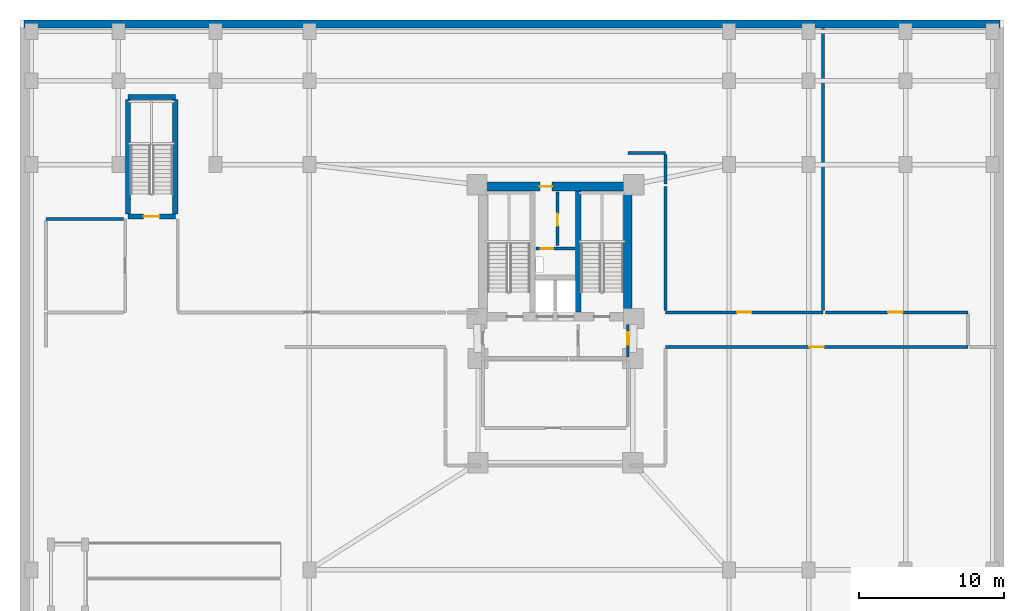
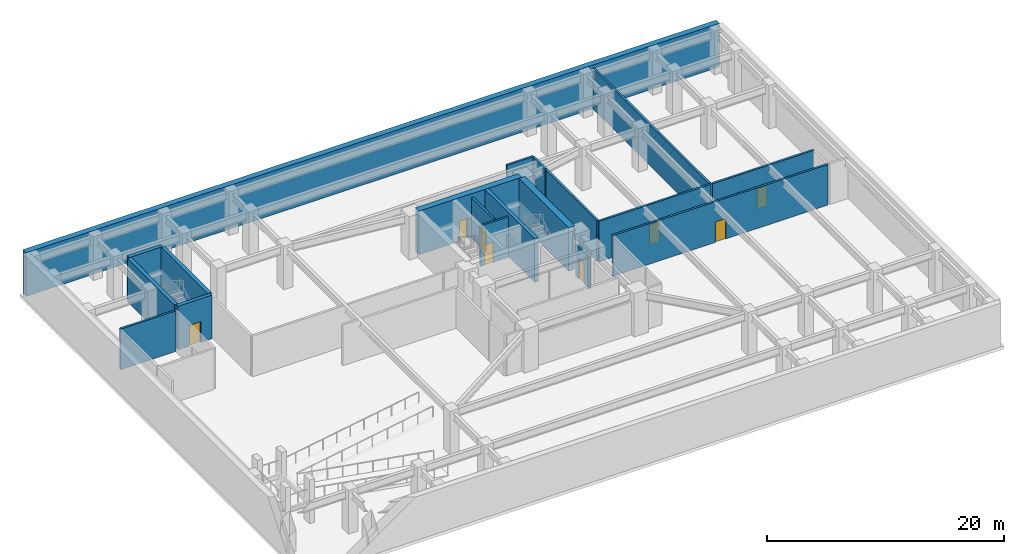
# One storey, part 5 of 8: 19 walls, 8 doors, 8 openings.
"""IFC4 building model written with IfcOpenShell, lengths in metres."""

from ifc_helpers import new_model, si_unit, direction, frame, frame_2d, origin, place, context, subcontext, project, spatial, rectangle, extrude, material, layer, layer_set, type_object, element, fill, save


model = new_model("IFC4")

# Units and contexts
model_context = context("Model", 3, precision=1e-05, world=origin(), true_north=direction((0.0, 1.0)))
body_context = subcontext(model_context, "Body", "Model", "MODEL_VIEW")
ifc_project = project(units=[si_unit("LENGTHUNIT", "METRE"), si_unit("AREAUNIT", "SQUARE_METRE"), si_unit("VOLUMEUNIT", "CUBIC_METRE"), si_unit("PLANEANGLEUNIT", "RADIAN"), si_unit("MASSUNIT", "GRAM", prefix="KILO")], contexts=[model_context])

# Site, building, storey
site_placement = place(None, origin())
site = spatial("IfcSite", under=ifc_project, at=site_placement, CompositionType="ELEMENT")
building_placement = place(site_placement, origin())
building = spatial("IfcBuilding", under=site, at=building_placement, Name="Varnakorn Sky Granary", CompositionType="ELEMENT")
storey_placement = place(building_placement, frame((0.0, 0.0, -9.0)))
storey = spatial("IfcBuildingStorey", under=building, at=storey_placement, Name="B02", CompositionType="ELEMENT", Elevation=-9.0)

# Wall, opening, door
ifc_material_1 = material(Name="Concrete C50/60", Category="concrete")
ifc_layer_1 = layer(ifc_material_1, 0.35009765625, Name="Concrete C50/60")
ifc_layer_set_1 = layer_set([ifc_layer_1], Name="Concrete C50/60")
wall_type_1 = type_object("IfcWallType", Name="WT-CW-INT-350", PredefinedType="SHEAR", material=ifc_layer_set_1)
wall_1_placement = place(storey_placement, frame((-26.550048828125, 10.419921875, 0.0), z_axis=(0.0, 0.0, 1.0), x_axis=(1.0, 0.0, 0.0)))
wall_1 = element("IfcWall", 1, at=wall_1_placement, inside=storey, type_object=wall_type_1, Name="Podium Stair ST-B3 South Wall B02", PredefinedType="SHEAR", context=body_context, shape_type="SweptSolid", body=[
    extrude(rectangle(XDim=3.280029296875, YDim=0.35009765625, at=frame_2d((1.64013671875, 0.0))), origin(), (0.0, 0.0, 1.0), 4.491943359375),
])
opening_1_placement = place(wall_1_placement, frame((1.090087890625, 0.0, 0.0)))
opening_1 = element("IfcOpeningElement", 2, at=opening_1_placement, cuts=wall_1, Name="Opening FD-90", PredefinedType="OPENING", context=body_context, shape_type="SweptSolid", body=[
    extrude(rectangle(XDim=1.10009765625, YDim=2.14990234375, at=frame_2d((0.550048828125, 1.074951171875))), frame((0.0, 0.18505859375, 0.0), z_axis=(0.0, -1.0, 0.0), x_axis=(1.0, 0.0, 0.0)), (0.0, 0.0, 1.0), 0.3701171875),
])
ifc_material_2 = material(Name="Galvanised Painted Steel Leaf", Category="steel")
door_type_1 = type_object("IfcDoorType", Name="DR-STAIR-1100", OperationType="NOTDEFINED", PredefinedType="DOOR", material=ifc_material_2)
door_1_placement = place(opening_1_placement, origin())
door_1 = element("IfcDoor", 3, at=door_1_placement, inside=storey, type_object=door_type_1, Name="Basement Stair ST-B3 Protected Fire Door B02", OperationType="SINGLE_SWING_LEFT", OverallHeight=2.14990234375, OverallWidth=1.10009765625, PredefinedType="DOOR", context=body_context, shape_type="SweptSolid", body=[
    extrude(rectangle(XDim=1.10009765625, YDim=2.14990234375, at=frame_2d((0.550048828125, 1.074951171875))), frame((0.0, 0.02490234375, 0.0), z_axis=(0.0, -1.0, 0.0), x_axis=(1.0, 0.0, 0.0)), (0.0, 0.0, 1.0), 0.050048828125),
])
fill(opening_1, door_1)

# Walls
wall_2_placement = place(storey_placement, frame((-26.550048828125, 18.679931640625, 0.0), z_axis=(0.0, 0.0, 1.0), x_axis=(1.0, 0.0, 0.0)))
element("IfcWall", 4, at=wall_2_placement, inside=storey, type_object=wall_type_1, Name="Podium Stair ST-B3 North Wall B02", PredefinedType="SHEAR", context=body_context, shape_type="SweptSolid", body=[
    extrude(rectangle(XDim=3.280029296875, YDim=0.35009765625, at=frame_2d((1.64013671875, 0.0))), origin(), (0.0, 0.0, 1.0), 4.491943359375),
])
for number, where, z_axis, x_axis, name in (
    (5, (-26.550048828125, 10.610107421875, 0.0), (0.0, 0.0, 1.0), (0.0, 1.0, 0.0), "Podium Stair ST-B3 West Wall B02"),
    (6, (-23.27001953125, 10.610107421875, 0.0), (0.0, 0.0, 1.0), (0.0, 1.0, 0.0), "Podium Stair ST-B3 East Wall B02"),
):
    element("IfcWall", number, at=place(storey_placement, frame(where, z_axis=z_axis, x_axis=x_axis)), inside=storey, type_object=wall_type_1, Name=name, PredefinedType="SHEAR", context=body_context, shape_type="SweptSolid", body=[
        extrude(rectangle(XDim=7.8798828125, YDim=0.35009765625, at=frame_2d((3.93994140625, 0.0))), origin(), (0.0, 0.0, 1.0), 4.491943359375),
    ])
wall_3_placement = place(storey_placement, frame((4.580078125, 3.81005859375, 0.0), z_axis=(0.0, 0.0, 1.0), x_axis=(0.0, 1.0, 0.0)))
element("IfcWall", 7, at=wall_3_placement, inside=storey, type_object=wall_type_1, Name="Stair ST-2 Core Wall B02", PredefinedType="SHEAR", context=body_context, shape_type="SweptSolid", body=[
    extrude(rectangle(XDim=8.3798828125, YDim=0.35009765625, at=frame_2d((4.18994140625, 0.0))), origin(), (0.0, 0.0, 1.0), 4.491943359375),
])

# Wall, opening, door
ifc_material_3 = material(Name="Concrete C60/75", Category="concrete")
ifc_layer_2 = layer(ifc_material_3, 0.60009765625, Name="Concrete C60/75")
ifc_layer_set_2 = layer_set([ifc_layer_2], Name="Concrete C60/75")
wall_type_2 = type_object("IfcWallType", Name="WT-CW-SHEAR-600", PredefinedType="SHEAR", material=ifc_layer_set_2)
wall_4_placement = place(storey_placement, frame((-2.0, 12.5, 0.0), z_axis=(0.0, 0.0, 1.0), x_axis=(1.0, 0.0, 0.0)))
wall_4 = element("IfcWall", 8, at=wall_4_placement, inside=storey, type_object=wall_type_2, Name="Core North Shear Wall B02", PredefinedType="SHEAR", context=body_context, shape_type="SweptSolid", body=[
    extrude(rectangle(XDim=10.0, YDim=0.60009765625, at=frame_2d((5.0, 0.0))), origin(), (0.0, 0.0, 1.0), 4.491943359375),
])
opening_2_placement = place(wall_4_placement, frame((3.919921875, 0.0, 0.0)))
opening_2 = element("IfcOpeningElement", 9, at=opening_2_placement, cuts=wall_4, Name="Opening FD-60N", PredefinedType="OPENING", context=body_context, shape_type="SweptSolid", body=[
    extrude(rectangle(XDim=0.85009765625, YDim=2.10009765625, at=frame_2d((0.425048828125, 1.050048828125))), frame((0.0, 0.31005859375, 0.0), z_axis=(0.0, -1.0, 0.0), x_axis=(1.0, 0.0, 0.0)), (0.0, 0.0, 1.0), 0.6201171875),
])
ifc_material_4 = material(Name="Acoustic Timber Fire Leaf", Category="wood")
door_type_2 = type_object("IfcDoorType", Name="DR-FD60-850", OperationType="NOTDEFINED", PredefinedType="DOOR", material=ifc_material_4)
door_2_placement = place(opening_2_placement, origin())
door_2 = element("IfcDoor", 10, at=door_2_placement, inside=storey, type_object=door_type_2, Name="Core North Service Door B02", OperationType="SINGLE_SWING_RIGHT", OverallHeight=2.10009765625, OverallWidth=0.85009765625, PredefinedType="DOOR", context=body_context, shape_type="SweptSolid", body=[
    extrude(rectangle(XDim=0.85009765625, YDim=2.10009765625, at=frame_2d((0.425048828125, 1.050048828125))), frame((0.0, 0.02490234375, 0.0), z_axis=(0.0, -1.0, 0.0), x_axis=(1.0, 0.0, 0.0)), (0.0, 0.0, 1.0), 0.050048828125),
])
fill(opening_2, door_2)

# Wall
wall_5_placement = place(storey_placement, frame((8.0, 3.81005859375, 0.0), z_axis=(0.0, 0.0, 1.0), x_axis=(0.0, 1.0, 0.0)))
element("IfcWall", 11, at=wall_5_placement, inside=storey, type_object=wall_type_2, Name="Core East Shear Wall B02", PredefinedType="SHEAR", context=body_context, shape_type="SweptSolid", body=[
    extrude(rectangle(XDim=8.3798828125, YDim=0.60009765625, at=frame_2d((4.18994140625, 0.0))), origin(), (0.0, 0.0, 1.0), 4.491943359375),
])

# Wall, opening, door
ifc_material_5 = material(Name="Autoclaved Aerated Concrete Blockwork", Category="masonry")
ifc_layer_3 = layer(ifc_material_5, 0.199951171875, Name="Autoclaved Aerated Concrete Blockwork")
ifc_layer_set_3 = layer_set([ifc_layer_3], Name="Autoclaved Aerated Concrete Blockwork")
wall_type_3 = type_object("IfcWallType", Name="WT-FIRE-200", PredefinedType="MOVABLE", material=ifc_layer_set_3)
wall_6_placement = place(storey_placement, frame((1.64990234375, 8.199951171875, 0.0), z_axis=(0.0, 0.0, 1.0), x_axis=(1.0, 0.0, 0.0)))
wall_6 = element("IfcWall", 12, at=wall_6_placement, inside=storey, type_object=wall_type_3, Name="Interior Partition Wall B02-003", PredefinedType="MOVABLE", context=body_context, shape_type="SweptSolid", body=[
    extrude(rectangle(XDim=2.7001953125, YDim=0.199951171875, at=frame_2d((1.35009765625, 0.0))), origin(), (0.0, 0.0, 1.0), 4.179931640625),
])
opening_3_placement = place(wall_6_placement, frame((0.35009765625, 0.0, 0.0)))
opening_3 = element("IfcOpeningElement", 13, at=opening_3_placement, cuts=wall_6, Name="Opening FD-60N", PredefinedType="OPENING", context=body_context, shape_type="SweptSolid", body=[
    extrude(rectangle(XDim=0.85009765625, YDim=2.10009765625, at=frame_2d((0.425048828125, 1.050048828125))), frame((0.0, 0.10986328125, 0.0), z_axis=(0.0, -1.0, 0.0), x_axis=(1.0, 0.0, 0.0)), (0.0, 0.0, 1.0), 0.219970703125),
])
door_3_placement = place(opening_3_placement, origin())
door_3 = element("IfcDoor", 14, at=door_3_placement, inside=storey, type_object=door_type_2, Name="Interior Door B02-003-1", OperationType="SINGLE_SWING_LEFT", OverallHeight=2.10009765625, OverallWidth=0.85009765625, PredefinedType="DOOR", context=body_context, shape_type="SweptSolid", body=[
    extrude(rectangle(XDim=0.85009765625, YDim=2.10009765625, at=frame_2d((0.425048828125, 1.050048828125))), frame((0.0, 0.02490234375, 0.0), z_axis=(0.0, -1.0, 0.0), x_axis=(1.0, 0.0, 0.0)), (0.0, 0.0, 1.0), 0.050048828125),
])
fill(opening_3, door_3)

wall_7_placement = place(storey_placement, frame((3.14990234375, 8.429931640625, 0.0), z_axis=(0.0, 0.0, 1.0), x_axis=(0.0, 1.0, 0.0)))
wall_7 = element("IfcWall", 15, at=wall_7_placement, inside=storey, type_object=wall_type_3, Name="Interior Partition Wall B02-004", PredefinedType="MOVABLE", context=body_context, shape_type="SweptSolid", body=[
    extrude(rectangle(XDim=3.670166015625, YDim=0.199951171875, at=frame_2d((1.8349609375, 0.0))), origin(), (0.0, 0.0, 1.0), 4.179931640625),
])
opening_4_placement = place(wall_7_placement, frame((1.340087890625, 0.0, 0.0)))
opening_4 = element("IfcOpeningElement", 16, at=opening_4_placement, cuts=wall_7, Name="Opening FD-60N", PredefinedType="OPENING", context=body_context, shape_type="SweptSolid", body=[
    extrude(rectangle(XDim=0.85009765625, YDim=2.10009765625, at=frame_2d((0.425048828125, 1.050048828125))), frame((0.0, 0.10986328125, 0.0), z_axis=(0.0, -1.0, 0.0), x_axis=(1.0, 0.0, 0.0)), (0.0, 0.0, 1.0), 0.219970703125),
])
door_4_placement = place(opening_4_placement, origin())
door_4 = element("IfcDoor", 17, at=door_4_placement, inside=storey, type_object=door_type_2, Name="Interior Door B02-004-1", OperationType="SINGLE_SWING_RIGHT", OverallHeight=2.10009765625, OverallWidth=0.85009765625, PredefinedType="DOOR", context=body_context, shape_type="SweptSolid", body=[
    extrude(rectangle(XDim=0.85009765625, YDim=2.10009765625, at=frame_2d((0.425048828125, 1.050048828125))), frame((0.0, 0.02490234375, 0.0), z_axis=(0.0, -1.0, 0.0), x_axis=(1.0, 0.0, 0.0)), (0.0, 0.0, 1.0), 0.050048828125),
])
fill(opening_4, door_4)

wall_8_placement = place(storey_placement, frame((8.0, 0.719970703125, 0.0), z_axis=(0.0, 0.0, 1.0), x_axis=(0.0, 1.0, 0.0)))
wall_8 = element("IfcWall", 18, at=wall_8_placement, inside=storey, type_object=wall_type_3, Name="Interior Partition Wall B02-007", PredefinedType="MOVABLE", context=body_context, shape_type="SweptSolid", body=[
    extrude(rectangle(XDim=2.25, YDim=0.199951171875, at=frame_2d((1.125, 0.0))), origin(), (0.0, 0.0, 1.0), 3.261962890625),
])
opening_5_placement = place(wall_8_placement, frame((0.844970703125, 0.0, 0.0)))
opening_5 = element("IfcOpeningElement", 19, at=opening_5_placement, cuts=wall_8, Name="Opening FD-60N", PredefinedType="OPENING", context=body_context, shape_type="SweptSolid", body=[
    extrude(rectangle(XDim=0.85009765625, YDim=2.10009765625, at=frame_2d((0.425048828125, 1.050048828125))), frame((0.0, 0.10986328125, 0.0), z_axis=(0.0, -1.0, 0.0), x_axis=(1.0, 0.0, 0.0)), (0.0, 0.0, 1.0), 0.219970703125),
])
door_5_placement = place(opening_5_placement, origin())
door_5 = element("IfcDoor", 20, at=door_5_placement, inside=storey, type_object=door_type_2, Name="Interior Door B02-007-1", OperationType="SINGLE_SWING_LEFT", OverallHeight=2.10009765625, OverallWidth=0.85009765625, PredefinedType="DOOR", context=body_context, shape_type="SweptSolid", body=[
    extrude(rectangle(XDim=0.85009765625, YDim=2.10009765625, at=frame_2d((0.425048828125, 1.050048828125))), frame((0.0, 0.02490234375, 0.0), z_axis=(0.0, -1.0, 0.0), x_axis=(1.0, 0.0, 0.0)), (0.0, 0.0, 1.0), 0.050048828125),
])
fill(opening_5, door_5)

wall_9_placement = place(storey_placement, frame((10.60009765625, 1.39990234375, 0.0), z_axis=(0.0, 0.0, 1.0), x_axis=(1.0, 0.0, 0.0)))
wall_9 = element("IfcWall", 21, at=wall_9_placement, inside=storey, type_object=wall_type_3, Name="Interior Partition Wall B02-009", PredefinedType="MOVABLE", context=body_context, shape_type="SweptSolid", body=[
    extrude(rectangle(XDim=20.89990234375, YDim=0.199951171875, at=frame_2d((10.449951171875, 0.0))), origin(), (0.0, 0.0, 1.0), 4.179931640625),
])
opening_6_placement = place(wall_9_placement, frame((9.949951171875, 0.0, 0.0)))
opening_6 = element("IfcOpeningElement", 22, at=opening_6_placement, cuts=wall_9, Name="Opening FD-60", PredefinedType="OPENING", context=body_context, shape_type="SweptSolid", body=[
    extrude(rectangle(XDim=1.0, YDim=2.10009765625, at=frame_2d((0.5, 1.050048828125))), frame((0.0, 0.10986328125, 0.0), z_axis=(0.0, -1.0, 0.0), x_axis=(1.0, 0.0, 0.0)), (0.0, 0.0, 1.0), 0.219970703125),
])
door_type_3 = type_object("IfcDoorType", Name="DR-FD60-1000", OperationType="NOTDEFINED", PredefinedType="DOOR", material=ifc_material_4)
door_6_placement = place(opening_6_placement, origin())
door_6 = element("IfcDoor", 23, at=door_6_placement, inside=storey, type_object=door_type_3, Name="Interior Door B02-009-1", OperationType="SINGLE_SWING_LEFT", OverallHeight=2.10009765625, OverallWidth=1.0, PredefinedType="DOOR", context=body_context, shape_type="SweptSolid", body=[
    extrude(rectangle(XDim=1.0, YDim=2.10009765625, at=frame_2d((0.5, 1.050048828125))), frame((0.0, 0.02490234375, 0.0), z_axis=(0.0, -1.0, 0.0), x_axis=(1.0, 0.0, 0.0)), (0.0, 0.0, 1.0), 0.050048828125),
])
fill(opening_6, door_6)

wall_10_placement = place(storey_placement, frame((21.5, 3.800048828125, 0.0), z_axis=(0.0, 0.0, 1.0), x_axis=(-1.0, 0.0, 0.0)))
wall_10 = element("IfcWall", 24, at=wall_10_placement, inside=storey, type_object=wall_type_3, Name="Interior Partition Wall B02-011", PredefinedType="MOVABLE", context=body_context, shape_type="SweptSolid", body=[
    extrude(rectangle(XDim=10.89990234375, YDim=0.199951171875, at=frame_2d((5.449951171875, 0.0))), origin(), (0.0, 0.0, 1.0), 4.179931640625),
])
opening_7_placement = place(wall_10_placement, frame((4.949951171875, 0.0, 0.0)))
opening_7 = element("IfcOpeningElement", 25, at=opening_7_placement, cuts=wall_10, Name="Opening FD-60", PredefinedType="OPENING", context=body_context, shape_type="SweptSolid", body=[
    extrude(rectangle(XDim=1.0, YDim=2.10009765625, at=frame_2d((0.5, 1.050048828125))), frame((0.0, 0.10986328125, 0.0), z_axis=(0.0, -1.0, 0.0), x_axis=(1.0, 0.0, 0.0)), (0.0, 0.0, 1.0), 0.219970703125),
])
door_7_placement = place(opening_7_placement, origin())
door_7 = element("IfcDoor", 26, at=door_7_placement, inside=storey, type_object=door_type_3, Name="Interior Door B02-011-1", OperationType="SINGLE_SWING_LEFT", OverallHeight=2.10009765625, OverallWidth=1.0, PredefinedType="DOOR", context=body_context, shape_type="SweptSolid", body=[
    extrude(rectangle(XDim=1.0, YDim=2.10009765625, at=frame_2d((0.5, 1.050048828125))), frame((0.0, 0.02490234375, 0.0), z_axis=(0.0, -1.0, 0.0), x_axis=(1.0, 0.0, 0.0)), (0.0, 0.0, 1.0), 0.050048828125),
])
fill(opening_7, door_7)

wall_11_placement = place(storey_placement, frame((31.5, 3.800048828125, 0.0), z_axis=(0.0, 0.0, 1.0), x_axis=(-1.0, 0.0, 0.0)))
wall_11 = element("IfcWall", 27, at=wall_11_placement, inside=storey, type_object=wall_type_3, Name="Interior Partition Wall B02-012", PredefinedType="MOVABLE", context=body_context, shape_type="SweptSolid", body=[
    extrude(rectangle(XDim=9.840087890625, YDim=0.199951171875, at=frame_2d((4.919921875, 0.0))), origin(), (0.0, 0.0, 1.0), 4.179931640625),
])
opening_8_placement = place(wall_11_placement, frame((4.5, 0.0, 0.0)))
opening_8 = element("IfcOpeningElement", 28, at=opening_8_placement, cuts=wall_11, Name="Opening FD-60", PredefinedType="OPENING", context=body_context, shape_type="SweptSolid", body=[
    extrude(rectangle(XDim=1.0, YDim=2.10009765625, at=frame_2d((0.5, 1.050048828125))), frame((0.0, 0.10986328125, 0.0), z_axis=(0.0, -1.0, 0.0), x_axis=(1.0, 0.0, 0.0)), (0.0, 0.0, 1.0), 0.219970703125),
])
door_8_placement = place(opening_8_placement, origin())
door_8 = element("IfcDoor", 29, at=door_8_placement, inside=storey, type_object=door_type_3, Name="Interior Door B02-012-1", OperationType="SINGLE_SWING_RIGHT", OverallHeight=2.10009765625, OverallWidth=1.0, PredefinedType="DOOR", context=body_context, shape_type="SweptSolid", body=[
    extrude(rectangle(XDim=1.0, YDim=2.10009765625, at=frame_2d((0.5, 1.050048828125))), frame((0.0, 0.02490234375, 0.0), z_axis=(0.0, -1.0, 0.0), x_axis=(1.0, 0.0, 0.0)), (0.0, 0.0, 1.0), 0.050048828125),
])
fill(opening_8, door_8)

# Walls
wall_12_placement = place(storey_placement, frame((10.60009765625, 3.909912109375, 0.0), z_axis=(0.0, 0.0, 1.0), x_axis=(0.0, 1.0, 0.0)))
element("IfcWall", 30, at=wall_12_placement, inside=storey, type_object=wall_type_3, Name="Interior Partition Wall B02-028", PredefinedType="MOVABLE", context=body_context, shape_type="SweptSolid", body=[
    extrude(rectangle(XDim=8.590087890625, YDim=0.199951171875, at=frame_2d((4.294921875, 0.0))), origin(), (0.0, 0.0, 1.0), 4.179931640625),
])
wall_13_placement = place(storey_placement, frame((10.60009765625, 14.800048828125, 0.0), z_axis=(0.0, 0.0, 1.0), x_axis=(-1.0, 0.0, 0.0)))
element("IfcWall", 31, at=wall_13_placement, inside=storey, type_object=wall_type_3, Name="Interior Partition Wall B02-029", PredefinedType="MOVABLE", context=body_context, shape_type="SweptSolid", body=[
    extrude(rectangle(XDim=2.60009765625, YDim=0.199951171875, at=frame_2d((1.300048828125, 0.0))), origin(), (0.0, 0.0, 1.0), 4.179931640625),
])
wall_14_placement = place(storey_placement, frame((10.60009765625, 12.659912109375, 0.0), z_axis=(0.0, 0.0, 1.0), x_axis=(0.0, 1.0, 0.0)))
element("IfcWall", 32, at=wall_14_placement, inside=storey, type_object=wall_type_3, Name="Interior Partition Wall B02-030", PredefinedType="MOVABLE", context=body_context, shape_type="SweptSolid", body=[
    extrude(rectangle(XDim=2.030029296875, YDim=0.199951171875, at=frame_2d((1.01513671875, 0.0))), origin(), (0.0, 0.0, 1.0), 4.179931640625),
])
wall_15_placement = place(storey_placement, frame((-26.840087890625, 10.25, 0.0), z_axis=(0.0, 0.0, 1.0), x_axis=(-1.0, 0.0, 0.0)))
element("IfcWall", 33, at=wall_15_placement, inside=storey, type_object=wall_type_3, Name="Interior Partition Wall B02-034", PredefinedType="MOVABLE", context=body_context, shape_type="SweptSolid", body=[
    extrude(rectangle(XDim=5.35986328125, YDim=0.199951171875, at=frame_2d((2.679931640625, 0.0))), origin(), (0.0, 0.0, 1.0), 4.179931640625),
])
wall_16_placement = place(storey_placement, frame((21.5, 23.4150390625, 0.0), z_axis=(0.0, 0.0, 1.0), x_axis=(0.0, -1.0, 0.0)))
element("IfcWall", 34, at=wall_16_placement, inside=storey, type_object=wall_type_3, Name="Interior Partition Wall B02-036", PredefinedType="MOVABLE", context=body_context, shape_type="SweptSolid", body=[
    extrude(rectangle(XDim=19.505126953125, YDim=0.199951171875, at=frame_2d((9.75244140625, 0.0))), origin(), (0.0, 0.0, 1.0), 4.179931640625),
])
ifc_layer_4 = layer(ifc_material_1, 0.550048828125, Name="Concrete C50/60")
ifc_layer_set_4 = layer_set([ifc_layer_4], Name="Concrete C50/60")
wall_type_4 = type_object("IfcWallType", Name="WT-RW-BSMT-550", PredefinedType="SOLIDWALL", material=ifc_layer_set_4)
wall_17_placement = place(storey_placement, frame((-33.72509765625, 23.72509765625, 0.0), z_axis=(0.0, 0.0, 1.0), x_axis=(1.0, 0.0, 0.0)))
element("IfcWall", 35, at=wall_17_placement, inside=storey, type_object=wall_type_4, Name="Basement Perimeter Retaining Wall B02-N", PredefinedType="SOLIDWALL", context=body_context, shape_type="SweptSolid", body=[
    extrude(rectangle(XDim=67.4501953125, YDim=0.550048828125, at=frame_2d((33.72509765625, 0.0))), origin(), (0.0, 0.0, 1.0), 4.491943359375),
])

save(model, "model.ifc")
